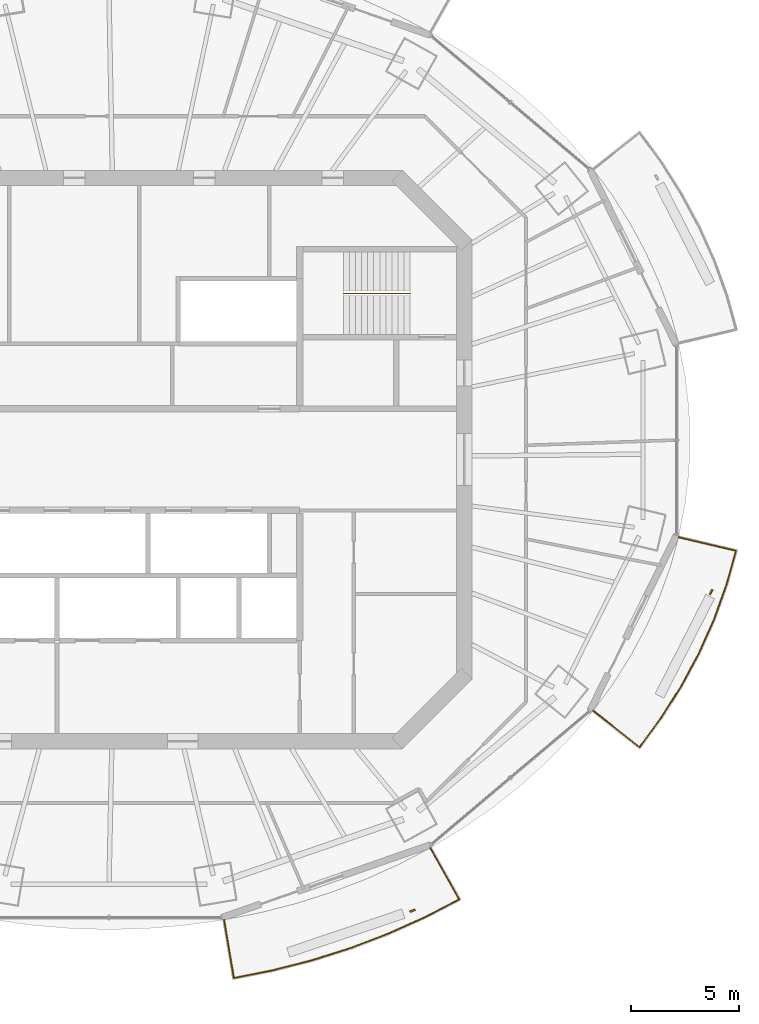
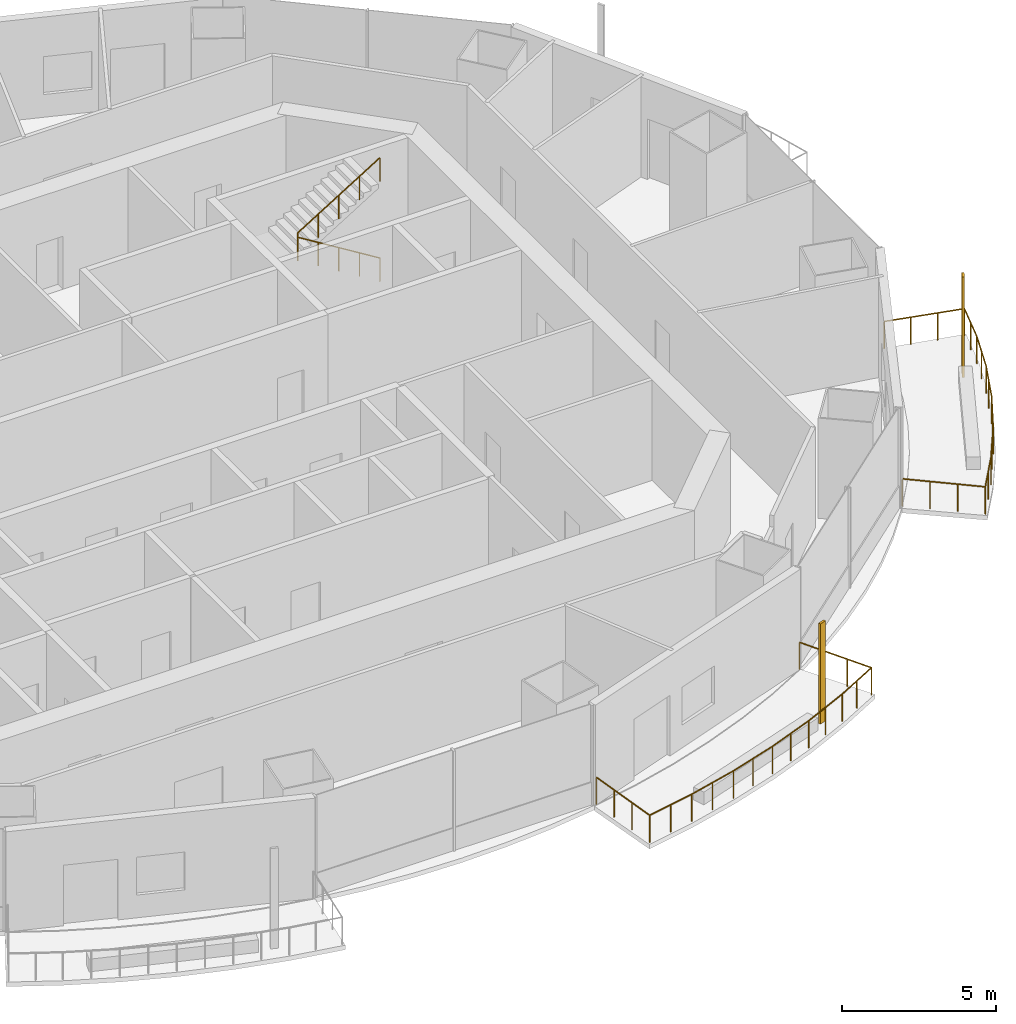
# One storey, part 13 of 16: 3 railings, 2 shading devices.
"""IFC4 building model written with IfcOpenShell, lengths in metres."""

from ifc_helpers import new_model, si_unit, direction, frame, origin, origin_2d, place, context, subcontext, project, spatial, rectangle, circle, extrude, material, material_profile, profile_set, type_object, element, save


model = new_model("IFC4")

# Units and contexts
model_context = context("Model", 3, precision=1e-05, world=origin(), true_north=direction((0.0, 1.0)))
body_context = subcontext(model_context, "Body", "Model", "MODEL_VIEW")
ifc_project = project(units=[si_unit("LENGTHUNIT", "METRE"), si_unit("AREAUNIT", "SQUARE_METRE"), si_unit("VOLUMEUNIT", "CUBIC_METRE"), si_unit("PLANEANGLEUNIT", "RADIAN"), si_unit("MASSUNIT", "GRAM", prefix="KILO")], contexts=[model_context])

# Site, building, storey
site_placement = place(None, origin())
site = spatial("IfcSite", under=ifc_project, at=site_placement, CompositionType="ELEMENT")
building_placement = place(site_placement, origin())
building = spatial("IfcBuilding", under=site, at=building_placement, Name="Marenthal Gate Tower", CompositionType="ELEMENT")
storey_placement = place(building_placement, frame((0.0, 0.0, 346.75)))
storey = spatial("IfcBuildingStorey", under=building, at=storey_placement, Name="L78", CompositionType="ELEMENT", Elevation=346.75)

# Railings
ifc_material_1 = material(Name="Stainless steel", Category="steel")
railing_type_1 = type_object("IfcRailingType", Name="Balcony guard 1100", PredefinedType="GUARDRAIL", material=ifc_material_1)
railing_1_placement = place(storey_placement, frame((14.4345703125, -17.92724609375, 0.0)))
element("IfcRailing", 1, at=railing_1_placement, inside=storey, type_object=railing_type_1, Name="Balcony guard L78 bay 13", PredefinedType="GUARDRAIL", context=body_context, shape_type="SweptSolid", body=[
    extrude(circle(Radius=0.02392578125, at=origin_2d()), frame((0.0, 0.0, 1.076171875), z_axis=(0.490779039991, -0.871159722412, -0.014719781009), x_axis=(0.871254115691, 0.490832217659, 0.0)), (0.0, 0.0, 1.0), 2.719970703125),
    extrude(circle(Radius=0.02392578125, at=origin_2d()), frame((1.3349609375, -2.36962890625, 1.0361328125), z_axis=(-0.886466510694, -0.462792745642, 0.0), x_axis=(0.462792745642, -0.886466510694, 0.0)), (0.0, 0.0, 1.0), 1.76611328125),
    extrude(circle(Radius=0.02392578125, at=origin_2d()), frame((-0.230712890625, -3.18701171875, 1.0361328125), z_axis=(-0.911823143893, -0.410583187992, 0.0), x_axis=(0.410583187992, -0.911823143893, 0.0)), (0.0, 0.0, 1.0), 1.858154296875),
    extrude(circle(Radius=0.02392578125, at=origin_2d()), frame((-1.925048828125, -3.949951171875, 1.0361328125), z_axis=(-0.934241329818, -0.35664146935, 0.0), x_axis=(0.35664146935, -0.934241329818, 0.0)), (0.0, 0.0, 1.0), 1.86962890625),
    extrude(circle(Radius=0.02392578125, at=origin_2d()), frame((-3.671630859375, -4.61669921875, 1.0361328125), z_axis=(-0.953244331297, -0.302200669837, 0.0), x_axis=(0.302200669837, -0.953244331297, 0.0)), (0.0, 0.0, 1.0), 1.879150390625),
    extrude(circle(Radius=0.02392578125, at=origin_2d()), frame((-5.462890625, -5.1845703125, 1.0361328125), z_axis=(-0.968851065423, -0.247644125772, 0.0), x_axis=(0.247644125772, -0.968851065423, 0.0)), (0.0, 0.0, 1.0), 1.887939453125),
    extrude(circle(Radius=0.02392578125, at=origin_2d()), frame((-7.2919921875, -5.652099609375, 1.0361328125), z_axis=(-0.98102320938, -0.193890336678, 0.0), x_axis=(0.193890336678, -0.98102320938, 0.0)), (0.0, 0.0, 1.0), 1.814453125),
    extrude(circle(Radius=0.02392578125, at=origin_2d()), frame((-9.072021484375, -6.00390625, 1.0361328125), z_axis=(-0.165399817941, 0.986116765891, 0.014718160685), x_axis=(-0.986223591651, -0.165417735658, 0.0)), (0.0, 0.0, 1.0), 2.720458984375),
    extrude(circle(Radius=0.02099609375, at=origin_2d()), origin(), (0.0, 0.0, 1.0), 1.052001953125),
    extrude(circle(Radius=0.02099609375, at=origin_2d()), frame((0.445068359375, -0.789794921875, -0.013427734375)), (0.0, 0.0, 1.0), 1.052001953125),
    extrude(circle(Radius=0.02099609375, at=origin_2d()), frame((0.889892578125, -1.579833984375, -0.026611328125)), (0.0, 0.0, 1.0), 1.052001953125),
    extrude(circle(Radius=0.02099609375, at=origin_2d()), frame((1.3349609375, -2.36962890625, -0.0400390625)), (0.0, 0.0, 1.0), 1.052001953125),
    extrude(circle(Radius=0.02099609375, at=origin_2d()), frame((0.55224609375, -2.7783203125, -0.0400390625)), (0.0, 0.0, 1.0), 1.052001953125),
    extrude(circle(Radius=0.02099609375, at=origin_2d()), frame((-0.230712890625, -3.18701171875, -0.0400390625)), (0.0, 0.0, 1.0), 1.052001953125),
    extrude(circle(Radius=0.02099609375, at=origin_2d()), frame((-1.077880859375, -3.568359375, -0.0400390625)), (0.0, 0.0, 1.0), 1.052001953125),
    extrude(circle(Radius=0.02099609375, at=origin_2d()), frame((-1.925048828125, -3.949951171875, -0.0400390625)), (0.0, 0.0, 1.0), 1.052001953125),
    extrude(circle(Radius=0.02099609375, at=origin_2d()), frame((-2.79833984375, -4.283203125, -0.0400390625)), (0.0, 0.0, 1.0), 1.052001953125),
    extrude(circle(Radius=0.02099609375, at=origin_2d()), frame((-3.671630859375, -4.61669921875, -0.0400390625)), (0.0, 0.0, 1.0), 1.052001953125),
    extrude(circle(Radius=0.02099609375, at=origin_2d()), frame((-4.5673828125, -4.900634765625, -0.0400390625)), (0.0, 0.0, 1.0), 1.052001953125),
    extrude(circle(Radius=0.02099609375, at=origin_2d()), frame((-5.462890625, -5.1845703125, -0.0400390625)), (0.0, 0.0, 1.0), 1.052001953125),
    extrude(circle(Radius=0.02099609375, at=origin_2d()), frame((-6.37744140625, -5.41845703125, -0.0400390625)), (0.0, 0.0, 1.0), 1.052001953125),
    extrude(circle(Radius=0.02099609375, at=origin_2d()), frame((-7.2919921875, -5.652099609375, -0.0400390625)), (0.0, 0.0, 1.0), 1.052001953125),
    extrude(circle(Radius=0.02099609375, at=origin_2d()), frame((-8.18212890625, -5.828125, -0.0400390625)), (0.0, 0.0, 1.0), 1.052001953125),
    extrude(circle(Radius=0.02099609375, at=origin_2d()), frame((-9.072021484375, -6.00390625, -0.0400390625)), (0.0, 0.0, 1.0), 1.052001953125),
    extrude(circle(Radius=0.02099609375, at=origin_2d()), frame((-9.221923828125, -5.109619140625, -0.026611328125)), (0.0, 0.0, 1.0), 1.052001953125),
    extrude(circle(Radius=0.02099609375, at=origin_2d()), frame((-9.3720703125, -4.215576171875, -0.013427734375)), (0.0, 0.0, 1.0), 1.052001953125),
    extrude(circle(Radius=0.02099609375, at=origin_2d()), frame((-9.52197265625, -3.3212890625, 0.0)), (0.0, 0.0, 1.0), 1.052001953125),
])
railing_2_placement = place(storey_placement, frame((25.89306640625, -3.586181640625, 0.0)))
element("IfcRailing", 2, at=railing_2_placement, inside=storey, type_object=railing_type_1, Name="Balcony guard L78 bay 15", PredefinedType="GUARDRAIL", context=body_context, shape_type="SweptSolid", body=[
    extrude(circle(Radius=0.02392578125, at=origin_2d()), frame((0.0, 0.0, 1.076171875), z_axis=(0.973182110168, -0.229564721303, -0.014717988387), x_axis=(0.229589589404, 0.973287532252, 0.0)), (0.0, 0.0, 1.0), 2.720458984375),
    extrude(circle(Radius=0.02392578125, at=origin_2d()), frame((2.6474609375, -0.62451171875, 1.0361328125), z_axis=(-0.268568220157, -0.963260666238, 0.0), x_axis=(0.963260666238, -0.268568220157, 0.0)), (0.0, 0.0, 1.0), 1.620849609375),
    extrude(circle(Radius=0.02392578125, at=origin_2d()), frame((2.212158203125, -2.185791015625, 1.0361328125), z_axis=(-0.338780209169, -0.940865542931, 0.0), x_axis=(0.940865542931, -0.338780209169, 0.0)), (0.0, 0.0, 1.0), 1.7080078125),
    extrude(circle(Radius=0.02392578125, at=origin_2d()), frame((1.633544921875, -3.792724609375, 1.0361328125), z_axis=(-0.40799807197, -0.912982789142, 0.0), x_axis=(0.912982789142, -0.40799807197, 0.0)), (0.0, 0.0, 1.0), 1.716796875),
    extrude(circle(Radius=0.02392578125, at=origin_2d()), frame((0.93310546875, -5.360107421875, 1.0361328125), z_axis=(-0.473593920811, -0.880743321389, 0.0), x_axis=(0.880743321389, -0.473593920811, 0.0)), (0.0, 0.0, 1.0), 1.72705078125),
    extrude(circle(Radius=0.02392578125, at=origin_2d()), frame((0.115234375, -6.881103515625, 1.0361328125), z_axis=(-0.535757035565, -0.84437219213, 0.0), x_axis=(0.84437219213, -0.535757035565, 0.0)), (0.0, 0.0, 1.0), 1.738037109375),
    extrude(circle(Radius=0.02392578125, at=origin_2d()), frame((-0.81591796875, -8.3486328125, 1.0361328125), z_axis=(-0.592560650715, -0.805525837714, 0.0), x_axis=(0.805525837714, -0.592560650715, 0.0)), (0.0, 0.0, 1.0), 1.670166015625),
    extrude(circle(Radius=0.02392578125, at=origin_2d()), frame((-1.8056640625, -9.694091796875, 1.0361328125), z_axis=(-0.783691471993, 0.620975869757, 0.014718896176), x_axis=(-0.621043146628, -0.783776377563, 0.0)), (0.0, 0.0, 1.0), 2.72021484375),
    extrude(circle(Radius=0.02099609375, at=origin_2d()), origin(), (0.0, 0.0, 1.0), 1.052001953125),
    extrude(circle(Radius=0.02099609375, at=origin_2d()), frame((0.882568359375, -0.208251953125, -0.013427734375)), (0.0, 0.0, 1.0), 1.052001953125),
    extrude(circle(Radius=0.02099609375, at=origin_2d()), frame((1.764892578125, -0.416259765625, -0.026611328125)), (0.0, 0.0, 1.0), 1.052001953125),
    extrude(circle(Radius=0.02099609375, at=origin_2d()), frame((2.6474609375, -0.62451171875, -0.0400390625)), (0.0, 0.0, 1.0), 1.052001953125),
    extrude(circle(Radius=0.02099609375, at=origin_2d()), frame((2.4296875, -1.4052734375, -0.0400390625)), (0.0, 0.0, 1.0), 1.052001953125),
    extrude(circle(Radius=0.02099609375, at=origin_2d()), frame((2.212158203125, -2.185791015625, -0.0400390625)), (0.0, 0.0, 1.0), 1.052001953125),
    extrude(circle(Radius=0.02099609375, at=origin_2d()), frame((1.9228515625, -2.9892578125, -0.0400390625)), (0.0, 0.0, 1.0), 1.052001953125),
    extrude(circle(Radius=0.02099609375, at=origin_2d()), frame((1.633544921875, -3.792724609375, -0.0400390625)), (0.0, 0.0, 1.0), 1.052001953125),
    extrude(circle(Radius=0.02099609375, at=origin_2d()), frame((1.283203125, -4.576416015625, -0.0400390625)), (0.0, 0.0, 1.0), 1.052001953125),
    extrude(circle(Radius=0.02099609375, at=origin_2d()), frame((0.93310546875, -5.360107421875, -0.0400390625)), (0.0, 0.0, 1.0), 1.052001953125),
    extrude(circle(Radius=0.02099609375, at=origin_2d()), frame((0.524169921875, -6.12060546875, -0.0400390625)), (0.0, 0.0, 1.0), 1.052001953125),
    extrude(circle(Radius=0.02099609375, at=origin_2d()), frame((0.115234375, -6.881103515625, -0.0400390625)), (0.0, 0.0, 1.0), 1.052001953125),
    extrude(circle(Radius=0.02099609375, at=origin_2d()), frame((-0.350341796875, -7.61474609375, -0.0400390625)), (0.0, 0.0, 1.0), 1.052001953125),
    extrude(circle(Radius=0.02099609375, at=origin_2d()), frame((-0.81591796875, -8.3486328125, -0.0400390625)), (0.0, 0.0, 1.0), 1.052001953125),
    extrude(circle(Radius=0.02099609375, at=origin_2d()), frame((-1.310791015625, -9.021484375, -0.0400390625)), (0.0, 0.0, 1.0), 1.052001953125),
    extrude(circle(Radius=0.02099609375, at=origin_2d()), frame((-1.8056640625, -9.694091796875, -0.0400390625)), (0.0, 0.0, 1.0), 1.052001953125),
    extrude(circle(Radius=0.02099609375, at=origin_2d()), frame((-2.516357421875, -9.131103515625, -0.026611328125)), (0.0, 0.0, 1.0), 1.052001953125),
    extrude(circle(Radius=0.02099609375, at=origin_2d()), frame((-3.226806640625, -8.56787109375, -0.013427734375)), (0.0, 0.0, 1.0), 1.052001953125),
    extrude(circle(Radius=0.02099609375, at=origin_2d()), frame((-3.9375, -8.0048828125, 0.0)), (0.0, 0.0, 1.0), 1.052001953125),
])
ifc_material_2 = material(Name="Stainless steel", Category="steel")
railing_type_2 = type_object("IfcRailingType", Name="Stair handrail", PredefinedType="HANDRAIL", material=ifc_material_2)
railing_3_placement = place(storey_placement, frame((13.5, 7.675048828125, 0.1728515625)))
element("IfcRailing", 3, at=railing_3_placement, inside=storey, type_object=railing_type_2, Name="Handrail ST3", PredefinedType="HANDRAIL", context=body_context, shape_type="SweptSolid", body=[
    extrude(circle(Radius=0.0224609375, at=origin_2d()), frame((0.0, 0.0, 0.927490234375), z_axis=(-0.850835241893, 0.0, 0.525432575268), x_axis=(0.0, -1.0, 0.0)), (0.0, 0.0, 1.0), 3.6201171875),
    extrude(circle(Radius=0.0224609375, at=origin_2d()), frame((-3.080078125, 0.0, 2.82958984375), z_axis=(0.0, 0.0, 1.0), x_axis=(1.0, 0.0, 0.0)), (0.0, 0.0, 1.0), 0.1728515625),
    extrude(circle(Radius=0.0224609375, at=origin_2d()), frame((-3.080078125, 0.0, 3.00244140625), z_axis=(0.850835241893, 0.0, 0.525432575268), x_axis=(0.0, 1.0, 0.0)), (0.0, 0.0, 1.0), 3.6201171875),
    extrude(circle(Radius=0.02001953125, at=origin_2d()), origin(), (0.0, 0.0, 1.0), 0.905029296875),
    extrude(circle(Radius=0.02001953125, at=origin_2d()), frame((-0.77001953125, 0.0, 0.4755859375)), (0.0, 0.0, 1.0), 0.905029296875),
    extrude(circle(Radius=0.02001953125, at=origin_2d()), frame((-1.5400390625, 0.0, 0.951171875)), (0.0, 0.0, 1.0), 0.905029296875),
    extrude(circle(Radius=0.02001953125, at=origin_2d()), frame((-2.31005859375, 0.0, 1.426513671875)), (0.0, 0.0, 1.0), 0.905029296875),
    extrude(circle(Radius=0.02001953125, at=origin_2d()), frame((-3.080078125, 0.0, 1.902099609375)), (0.0, 0.0, 1.0), 0.905029296875),
    extrude(circle(Radius=0.02001953125, at=origin_2d()), frame((-3.080078125, 0.0, 2.074951171875)), (0.0, 0.0, 1.0), 0.905029296875),
    extrude(circle(Radius=0.02001953125, at=origin_2d()), frame((-2.31005859375, 0.0, 2.550537109375)), (0.0, 0.0, 1.0), 0.905029296875),
    extrude(circle(Radius=0.02001953125, at=origin_2d()), frame((-1.5400390625, 0.0, 3.02587890625)), (0.0, 0.0, 1.0), 0.905029296875),
    extrude(circle(Radius=0.02001953125, at=origin_2d()), frame((-0.77001953125, 0.0, 3.50146484375)), (0.0, 0.0, 1.0), 0.905029296875),
    extrude(circle(Radius=0.02001953125, at=origin_2d()), frame((0.0, 0.0, 3.97705078125)), (0.0, 0.0, 1.0), 0.905029296875),
])

# Shading devices
ifc_material_3 = material(Name="Terracotta", Category="masonry")
ifc_material_profile = material_profile(ifc_material_3, rectangle(XDim=0.25, YDim=0.080078125, at=origin_2d()), Name="Terracotta baguette 250x80")
ifc_profile_set = profile_set([ifc_material_profile], Name="Terracotta")
shading_device_type = type_object("IfcShadingDeviceType", Name="Terracotta BAGUETTE SCREEN 250x80", PredefinedType="USERDEFINED", material=ifc_profile_set)
for number, where, z_axis, x_axis, name in (
    (4, (13.610595703125, -20.825439453125, -0.0400390625), (0.0, 0.0, 1.0), (0.944152186109, 0.32950971073, 0.0), "Terracotta BAGUETTE L78 bay 13R"),
    (5, (27.395751953125, -6.114990234375, -0.0400390625), (0.0, 0.0, 1.0), (0.441181376026, 0.897417959174, 0.0), "Terracotta BAGUETTE L78 bay 15R"),
):
    element("IfcShadingDevice", number, at=place(storey_placement, frame(where, z_axis=z_axis, x_axis=x_axis)), inside=storey, type_object=shading_device_type, Name=name, ObjectType="BAGUETTE SCREEN", PredefinedType="USERDEFINED", context=body_context, shape_type="SweptSolid", body=[
        extrude(rectangle(XDim=0.25, YDim=0.080078125, at=origin_2d()), origin(), (0.0, 0.0, 1.0), 3.969970703125),
    ])

save(model, "model.ifc")
